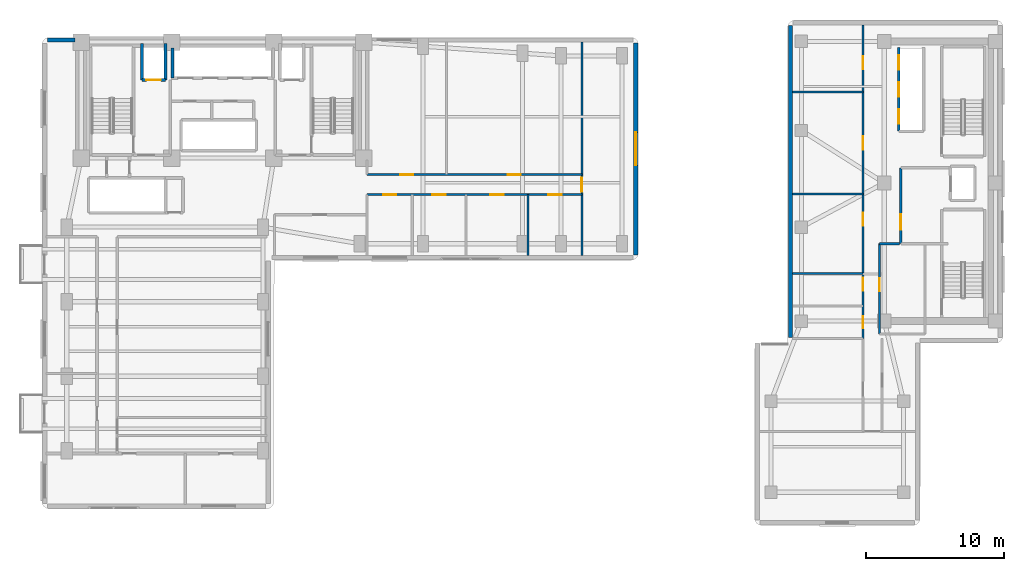
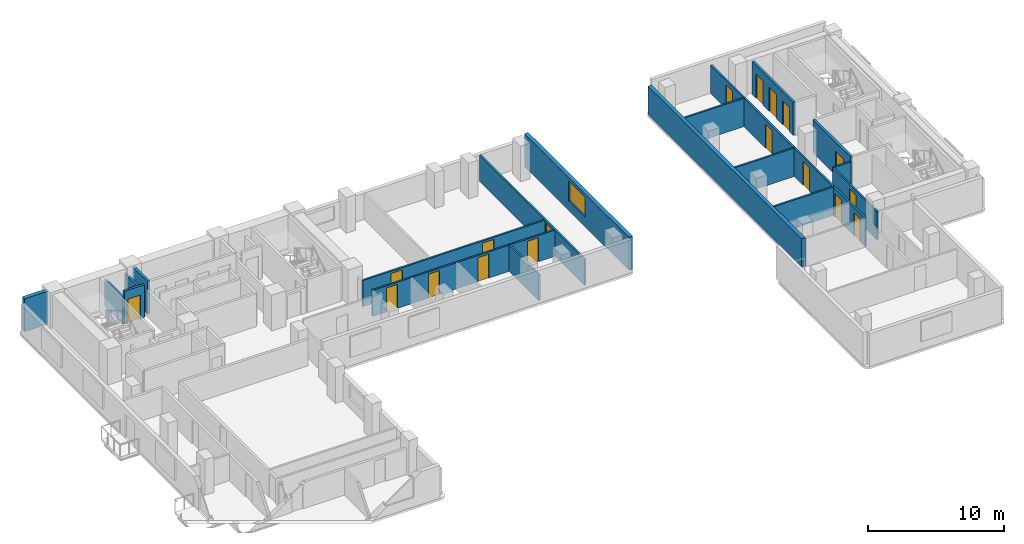
# One storey, part 10 of 15: 19 walls, 18 doors, 1 window, 19 openings.
"""IFC4 building model written with IfcOpenShell, lengths in metres."""

from ifc_helpers import new_model, si_unit, direction, frame, frame_2d, origin, place, context, subcontext, project, spatial, rectangle, extrude, material, layer, layer_set, type_object, element, fill, save


model = new_model("IFC4")

# Units and contexts
model_context = context("Model", 3, precision=1e-05, world=origin(), true_north=direction((0.0, 1.0)))
body_context = subcontext(model_context, "Body", "Model", "MODEL_VIEW")
ifc_project = project(units=[si_unit("LENGTHUNIT", "METRE"), si_unit("AREAUNIT", "SQUARE_METRE"), si_unit("VOLUMEUNIT", "CUBIC_METRE"), si_unit("PLANEANGLEUNIT", "RADIAN"), si_unit("MASSUNIT", "GRAM", prefix="KILO")], contexts=[model_context])

# Site, building, storey
site_placement = place(None, origin())
site = spatial("IfcSite", under=ifc_project, at=site_placement, CompositionType="ELEMENT")
building_placement = place(site_placement, origin())
building = spatial("IfcBuilding", under=site, at=building_placement, Name="Kuzgunbayir Cultural Tower", CompositionType="ELEMENT")
storey_placement = place(building_placement, frame((0.0, 0.0, 72.39990234375)))
storey = spatial("IfcBuildingStorey", under=building, at=storey_placement, Name="L20", CompositionType="ELEMENT", Elevation=72.39990234375)

# Walls
ifc_material_1 = material(Name="Anatolian Cream Limestone", Category="masonry")
ifc_layer_1 = layer(ifc_material_1, 0.300048828125)
ifc_layer_set_1 = layer_set([ifc_layer_1], Name="Anatolian Cream Limestone")
wall_type_1 = type_object("IfcWallType", Name="WAL-EXT-STONE-300", PredefinedType="STANDARD", material=ifc_layer_set_1)
wall_1_placement = place(storey_placement, frame((57.800048828125, 43.39990234375, 0.0), z_axis=(0.0, 0.0, 1.0), x_axis=(0.0, -1.0, 0.0)))
element("IfcWall", 1, at=wall_1_placement, inside=storey, type_object=wall_type_1, Name="L20 Companion West Limestone Wall", PredefinedType="STANDARD", context=body_context, shape_type="SweptSolid", body=[
    extrude(rectangle(XDim=22.599853515625, YDim=0.300048828125, at=frame_2d((11.2998046875, 0.0))), origin(), (0.0, 0.0, 1.0), 2.5400390625),
])
ifc_material_2 = material(Name="Travertine Buff Ashlar", Category="masonry")
ifc_layer_2 = layer(ifc_material_2, 0.320068359375)
ifc_layer_set_2 = layer_set([ifc_layer_2], Name="Travertine Buff Ashlar")
wall_type_2 = type_object("IfcWallType", Name="WAL-EXT-STONE-320", PredefinedType="STANDARD", material=ifc_layer_set_2)
wall_2_placement = place(storey_placement, frame((6.0, 42.35009765625, 0.0), z_axis=(0.0, 0.0, 1.0), x_axis=(-1.0, 0.0, 0.0)))
element("IfcWall", 2, at=wall_2_placement, inside=storey, type_object=wall_type_2, Name="L20 Core North-West Spandrel Link", PredefinedType="STANDARD", context=body_context, shape_type="SweptSolid", body=[
    extrude(rectangle(XDim=2.0, YDim=0.320068359375, at=frame_2d((1.0, 0.0))), origin(), (0.0, 0.0, 1.0), 2.960205078125),
])

# Wall, opening, window
wall_3_placement = place(storey_placement, frame((46.60009765625, 26.800048828125, 0.0), z_axis=(0.0, 0.0, 1.0), x_axis=(0.0, 1.0, 0.0)))
wall_3 = element("IfcWall", 3, at=wall_3_placement, inside=storey, type_object=wall_type_2, Name="L20 Wing B East Limestone Wall", PredefinedType="STANDARD", context=body_context, shape_type="SweptSolid", body=[
    extrude(rectangle(XDim=15.349853515625, YDim=0.320068359375, at=frame_2d((7.6748046875, 0.0))), origin(), (0.0, 0.0, 1.0), 2.960205078125),
])
opening_1_placement = place(wall_3_placement, frame((6.469970703125, 0.0, 0.85009765625)))
opening_1 = element("IfcOpeningElement", 4, at=opening_1_placement, cuts=wall_3, Name="Opening WO-24", PredefinedType="OPENING", context=body_context, shape_type="SweptSolid", body=[
    extrude(rectangle(XDim=2.39990234375, YDim=1.800048828125, at=frame_2d((1.199951171875, 0.89990234375))), frame((0.0, 0.169921875, 0.0), z_axis=(0.0, -1.0, 0.0), x_axis=(1.0, 0.0, 0.0)), (0.0, 0.0, 1.0), 0.340087890625),
])
ifc_material_3 = material(Name="Solar-Control Triple Glazing", Category="glass")
window_type = type_object("IfcWindowType", Name="WIN-OFFICE-24", PartitioningType="SINGLE_PANEL", PredefinedType="WINDOW", material=ifc_material_3)
window_placement = place(opening_1_placement, origin())
window = element("IfcWindow", 5, at=window_placement, inside=storey, type_object=window_type, Name="L20 WBE Facade Window 2", OverallHeight=1.800048828125, OverallWidth=2.39990234375, PartitioningType="SINGLE_PANEL", PredefinedType="WINDOW", context=body_context, shape_type="SweptSolid", body=[
    extrude(rectangle(XDim=2.39990234375, YDim=1.800048828125, at=frame_2d((1.199951171875, 0.89990234375))), frame((0.0, 0.030029296875, 0.0), z_axis=(0.0, -1.0, 0.0), x_axis=(1.0, 0.0, 0.0)), (0.0, 0.0, 1.0), 0.06005859375),
])
fill(opening_1, window)

# Wall, openings, doors
ifc_material_4 = material(Name="Acoustic Double-Stud Drywall", Category="gypsum")
ifc_layer_3 = layer(ifc_material_4, 0.14990234375)
ifc_layer_set_3 = layer_set([ifc_layer_3], Name="Acoustic Double-Stud Drywall")
wall_type_3 = type_object("IfcWallType", Name="WAL-PART-ACOUSTIC-150", PredefinedType="PARTITIONING", material=ifc_layer_set_3)
wall_4_placement = place(storey_placement, frame((27.14990234375, 31.14990234375, 0.0), z_axis=(0.0, 0.0, 1.0), x_axis=(1.0, 0.0, 0.0)))
wall_4 = element("IfcWall", 6, at=wall_4_placement, inside=storey, type_object=wall_type_3, Name="L20 Wing B Corridor South Wall", PredefinedType="PARTITIONING", context=body_context, shape_type="SweptSolid", body=[
    extrude(rectangle(XDim=15.550048828125, YDim=0.14990234375, at=frame_2d((7.77490234375, 0.0))), origin(), (0.0, 0.0, 1.0), 2.35009765625),
])
opening_2_placement = place(wall_4_placement, frame((1.159912109375, 0.0, 0.0)))
opening_2 = element("IfcOpeningElement", 7, at=opening_2_placement, cuts=wall_4, Name="Opening DI-90", PredefinedType="OPENING", context=body_context, shape_type="SweptSolid", body=[
    extrude(rectangle(XDim=0.949951171875, YDim=2.14990234375, at=frame_2d((0.47509765625, 1.074951171875))), frame((0.0, 0.0849609375, 0.0), z_axis=(0.0, -1.0, 0.0), x_axis=(1.0, 0.0, 0.0)), (0.0, 0.0, 1.0), 0.169921875),
])
opening_3_placement = place(wall_4_placement, frame((4.72998046875, 0.0, 0.0)))
opening_3 = element("IfcOpeningElement", 8, at=opening_3_placement, cuts=wall_4, Name="Opening DI-90", PredefinedType="OPENING", context=body_context, shape_type="SweptSolid", body=[
    extrude(rectangle(XDim=0.949951171875, YDim=2.14990234375, at=frame_2d((0.47509765625, 1.074951171875))), frame((0.0, 0.0849609375, 0.0), z_axis=(0.0, -1.0, 0.0), x_axis=(1.0, 0.0, 0.0)), (0.0, 0.0, 1.0), 0.169921875),
])
opening_4_placement = place(wall_4_placement, frame((8.929931640625, 0.0, 0.0)))
opening_4 = element("IfcOpeningElement", 9, at=opening_4_placement, cuts=wall_4, Name="Opening DI-90", PredefinedType="OPENING", context=body_context, shape_type="SweptSolid", body=[
    extrude(rectangle(XDim=0.949951171875, YDim=2.14990234375, at=frame_2d((0.47509765625, 1.074951171875))), frame((0.0, 0.0849609375, 0.0), z_axis=(0.0, -1.0, 0.0), x_axis=(1.0, 0.0, 0.0)), (0.0, 0.0, 1.0), 0.169921875),
])
opening_5_placement = place(wall_4_placement, frame((13.1298828125, 0.0, 0.0)))
opening_5 = element("IfcOpeningElement", 10, at=opening_5_placement, cuts=wall_4, Name="Opening DI-90", PredefinedType="OPENING", context=body_context, shape_type="SweptSolid", body=[
    extrude(rectangle(XDim=0.949951171875, YDim=2.14990234375, at=frame_2d((0.47509765625, 1.074951171875))), frame((0.0, 0.0849609375, 0.0), z_axis=(0.0, -1.0, 0.0), x_axis=(1.0, 0.0, 0.0)), (0.0, 0.0, 1.0), 0.169921875),
])
ifc_material_5 = material(Name="Veneered Oak Single Leaf", Category="wood")
door_type_1 = type_object("IfcDoorType", Name="DR-INT-90", OperationType="NOTDEFINED", PredefinedType="DOOR", material=ifc_material_5)
door_1_placement = place(opening_2_placement, origin())
door_1 = element("IfcDoor", 11, at=door_1_placement, inside=storey, type_object=door_type_1, Name="L20 Wing B Wellness Consultation Studio 1 Door", OperationType="SINGLE_SWING_RIGHT", OverallHeight=2.14990234375, OverallWidth=0.949951171875, PredefinedType="DOOR", context=body_context, shape_type="SweptSolid", body=[
    extrude(rectangle(XDim=0.949951171875, YDim=2.14990234375, at=frame_2d((0.47509765625, 1.074951171875))), frame((0.0, 0.02490234375, 0.0), z_axis=(0.0, -1.0, 0.0), x_axis=(1.0, 0.0, 0.0)), (0.0, 0.0, 1.0), 0.050048828125),
])
fill(opening_2, door_1)
door_2_placement = place(opening_3_placement, origin())
door_2 = element("IfcDoor", 12, at=door_2_placement, inside=storey, type_object=door_type_1, Name="L20 Wing B Seminar Boardroom 2 Door", OperationType="SINGLE_SWING_LEFT", OverallHeight=2.14990234375, OverallWidth=0.949951171875, PredefinedType="DOOR", context=body_context, shape_type="SweptSolid", body=[
    extrude(rectangle(XDim=0.949951171875, YDim=2.14990234375, at=frame_2d((0.47509765625, 1.074951171875))), frame((0.0, 0.02490234375, 0.0), z_axis=(0.0, -1.0, 0.0), x_axis=(1.0, 0.0, 0.0)), (0.0, 0.0, 1.0), 0.050048828125),
])
fill(opening_3, door_2)
door_3_placement = place(opening_4_placement, origin())
door_3 = element("IfcDoor", 13, at=door_3_placement, inside=storey, type_object=door_type_1, Name="L20 Wing B Wellness Consultation Studio 3 Door", OperationType="SINGLE_SWING_RIGHT", OverallHeight=2.14990234375, OverallWidth=0.949951171875, PredefinedType="DOOR", context=body_context, shape_type="SweptSolid", body=[
    extrude(rectangle(XDim=0.949951171875, YDim=2.14990234375, at=frame_2d((0.47509765625, 1.074951171875))), frame((0.0, 0.02490234375, 0.0), z_axis=(0.0, -1.0, 0.0), x_axis=(1.0, 0.0, 0.0)), (0.0, 0.0, 1.0), 0.050048828125),
])
fill(opening_4, door_3)
door_4_placement = place(opening_5_placement, origin())
door_4 = element("IfcDoor", 14, at=door_4_placement, inside=storey, type_object=door_type_1, Name="L20 Wing B Art Publication Salon 4 Door", OperationType="SINGLE_SWING_LEFT", OverallHeight=2.14990234375, OverallWidth=0.949951171875, PredefinedType="DOOR", context=body_context, shape_type="SweptSolid", body=[
    extrude(rectangle(XDim=0.949951171875, YDim=2.14990234375, at=frame_2d((0.47509765625, 1.074951171875))), frame((0.0, 0.02490234375, 0.0), z_axis=(0.0, -1.0, 0.0), x_axis=(1.0, 0.0, 0.0)), (0.0, 0.0, 1.0), 0.050048828125),
])
fill(opening_5, door_4)

wall_5_placement = place(storey_placement, frame((27.14990234375, 32.60009765625, 0.0), z_axis=(0.0, 0.0, 1.0), x_axis=(1.0, 0.0, 0.0)))
wall_5 = element("IfcWall", 15, at=wall_5_placement, inside=storey, type_object=wall_type_3, Name="L20 Wing B Corridor North Wall", PredefinedType="PARTITIONING", context=body_context, shape_type="SweptSolid", body=[
    extrude(rectangle(XDim=15.550048828125, YDim=0.14990234375, at=frame_2d((7.77490234375, 0.0))), origin(), (0.0, 0.0, 1.0), 2.35009765625),
])
opening_6_placement = place(wall_5_placement, frame((2.39990234375, 0.0, 0.0)))
opening_6 = element("IfcOpeningElement", 16, at=opening_6_placement, cuts=wall_5, Name="Opening DI-90", PredefinedType="OPENING", context=body_context, shape_type="SweptSolid", body=[
    extrude(rectangle(XDim=0.949951171875, YDim=2.14990234375, at=frame_2d((0.47509765625, 1.074951171875))), frame((0.0, 0.0849609375, 0.0), z_axis=(0.0, -1.0, 0.0), x_axis=(1.0, 0.0, 0.0)), (0.0, 0.0, 1.0), 0.169921875),
])
opening_7_placement = place(wall_5_placement, frame((10.169921875, 0.0, 0.0)))
opening_7 = element("IfcOpeningElement", 17, at=opening_7_placement, cuts=wall_5, Name="Opening DI-90", PredefinedType="OPENING", context=body_context, shape_type="SweptSolid", body=[
    extrude(rectangle(XDim=0.949951171875, YDim=2.14990234375, at=frame_2d((0.47509765625, 1.074951171875))), frame((0.0, 0.0849609375, 0.0), z_axis=(0.0, -1.0, 0.0), x_axis=(1.0, 0.0, 0.0)), (0.0, 0.0, 1.0), 0.169921875),
])
door_5_placement = place(opening_6_placement, origin())
door_5 = element("IfcDoor", 18, at=door_5_placement, inside=storey, type_object=door_type_1, Name="L20 Wing B North Wellness Consultation Studio 1 Door", OperationType="SINGLE_SWING_RIGHT", OverallHeight=2.14990234375, OverallWidth=0.949951171875, PredefinedType="DOOR", context=body_context, shape_type="SweptSolid", body=[
    extrude(rectangle(XDim=0.949951171875, YDim=2.14990234375, at=frame_2d((0.47509765625, 1.074951171875))), frame((0.0, 0.02490234375, 0.0), z_axis=(0.0, -1.0, 0.0), x_axis=(1.0, 0.0, 0.0)), (0.0, 0.0, 1.0), 0.050048828125),
])
fill(opening_6, door_5)
door_6_placement = place(opening_7_placement, origin())
door_6 = element("IfcDoor", 19, at=door_6_placement, inside=storey, type_object=door_type_1, Name="L20 Wing B North Art Publication Salon 2 Door", OperationType="SINGLE_SWING_LEFT", OverallHeight=2.14990234375, OverallWidth=0.949951171875, PredefinedType="DOOR", context=body_context, shape_type="SweptSolid", body=[
    extrude(rectangle(XDim=0.949951171875, YDim=2.14990234375, at=frame_2d((0.47509765625, 1.074951171875))), frame((0.0, 0.02490234375, 0.0), z_axis=(0.0, -1.0, 0.0), x_axis=(1.0, 0.0, 0.0)), (0.0, 0.0, 1.0), 0.050048828125),
])
fill(opening_7, door_6)

# Wall, opening, door
wall_6_placement = place(storey_placement, frame((42.699951171875, 26.75, 0.0), z_axis=(0.0, 0.0, 1.0), x_axis=(0.0, 1.0, 0.0)))
wall_6 = element("IfcWall", 20, at=wall_6_placement, inside=storey, type_object=wall_type_3, Name="L20 Wing B East Suite Wall", PredefinedType="PARTITIONING", context=body_context, shape_type="SweptSolid", body=[
    extrude(rectangle(XDim=15.449951171875, YDim=0.14990234375, at=frame_2d((7.72509765625, 0.0))), origin(), (0.0, 0.0, 1.0), 2.35009765625),
])
opening_8_placement = place(wall_6_placement, frame((4.6201171875, 0.0, 0.0)))
opening_8 = element("IfcOpeningElement", 21, at=opening_8_placement, cuts=wall_6, Name="Opening DI-100", PredefinedType="OPENING", context=body_context, shape_type="SweptSolid", body=[
    extrude(rectangle(XDim=1.0, YDim=2.14990234375, at=frame_2d((0.5, 1.074951171875))), frame((0.0, 0.0849609375, 0.0), z_axis=(0.0, -1.0, 0.0), x_axis=(1.0, 0.0, 0.0)), (0.0, 0.0, 1.0), 0.169921875),
])
door_type_2 = type_object("IfcDoorType", Name="DR-INT-100", OperationType="NOTDEFINED", PredefinedType="DOOR", material=ifc_material_5)
door_7_placement = place(opening_8_placement, origin())
door_7 = element("IfcDoor", 22, at=door_7_placement, inside=storey, type_object=door_type_2, Name="L20 East Conference Hall Door", OperationType="SINGLE_SWING_LEFT", OverallHeight=2.14990234375, OverallWidth=1.0, PredefinedType="DOOR", context=body_context, shape_type="SweptSolid", body=[
    extrude(rectangle(XDim=1.0, YDim=2.14990234375, at=frame_2d((0.5, 1.074951171875))), frame((0.0, 0.02490234375, 0.0), z_axis=(0.0, -1.0, 0.0), x_axis=(1.0, 0.0, 0.0)), (0.0, 0.0, 1.0), 0.050048828125),
])
fill(opening_8, door_7)

# Wall
wall_7_placement = place(storey_placement, frame((38.81005859375, 26.75, 0.0), z_axis=(0.0, 0.0, 1.0), x_axis=(0.0, 1.0, 0.0)))
element("IfcWall", 23, at=wall_7_placement, inside=storey, type_object=wall_type_3, Name="L20 Wing B South Partition 3", PredefinedType="PARTITIONING", context=body_context, shape_type="SweptSolid", body=[
    extrude(rectangle(XDim=4.39990234375, YDim=0.14990234375, at=frame_2d((2.199951171875, 0.0))), origin(), (0.0, 0.0, 1.0), 2.35009765625),
])

# Wall, opening, door
wall_8_placement = place(storey_placement, frame((64.25, 21.050048828125, 0.0), z_axis=(0.0, 0.0, 1.0), x_axis=(0.0, 1.0, 0.0)))
wall_8 = element("IfcWall", 24, at=wall_8_placement, inside=storey, type_object=wall_type_3, Name="L20 Companion Archive West Wall", PredefinedType="PARTITIONING", context=body_context, shape_type="SweptSolid", body=[
    extrude(rectangle(XDim=6.550048828125, YDim=0.14990234375, at=frame_2d((3.27490234375, 0.0))), origin(), (0.0, 0.0, 1.0), 2.5400390625),
])
opening_9_placement = place(wall_8_placement, frame((3.10009765625, 0.0, 0.0)))
opening_9 = element("IfcOpeningElement", 25, at=opening_9_placement, cuts=wall_8, Name="Opening DI-90", PredefinedType="OPENING", context=body_context, shape_type="SweptSolid", body=[
    extrude(rectangle(XDim=0.949951171875, YDim=2.14990234375, at=frame_2d((0.47509765625, 1.074951171875))), frame((0.0, 0.0849609375, 0.0), z_axis=(0.0, -1.0, 0.0), x_axis=(1.0, 0.0, 0.0)), (0.0, 0.0, 1.0), 0.169921875),
])
door_8_placement = place(opening_9_placement, origin())
door_8 = element("IfcDoor", 26, at=door_8_placement, inside=storey, type_object=door_type_1, Name="L20 Companion Archive Door", OperationType="SINGLE_SWING_RIGHT", OverallHeight=2.14990234375, OverallWidth=0.949951171875, PredefinedType="DOOR", context=body_context, shape_type="SweptSolid", body=[
    extrude(rectangle(XDim=0.949951171875, YDim=2.14990234375, at=frame_2d((0.47509765625, 1.074951171875))), frame((0.0, 0.02490234375, 0.0), z_axis=(0.0, -1.0, 0.0), x_axis=(1.0, 0.0, 0.0)), (0.0, 0.0, 1.0), 0.050048828125),
])
fill(opening_9, door_8)

# Wall
wall_9_placement = place(storey_placement, frame((64.25, 27.60009765625, 0.0), z_axis=(0.0, 0.0, 1.0), x_axis=(1.0, 0.0, 0.0)))
element("IfcWall", 27, at=wall_9_placement, inside=storey, type_object=wall_type_3, Name="L20 Companion Archive North Wall", PredefinedType="PARTITIONING", context=body_context, shape_type="SweptSolid", body=[
    extrude(rectangle(XDim=1.469970703125, YDim=0.14990234375, at=frame_2d((0.73486328125, 0.0))), origin(), (0.0, 0.0, 1.0), 2.5400390625),
])

# Wall, openings, doors
wall_10_placement = place(storey_placement, frame((63.050048828125, 20.75, 0.0), z_axis=(0.0, 0.0, 1.0), x_axis=(0.0, 1.0, 0.0)))
wall_10 = element("IfcWall", 28, at=wall_10_placement, inside=storey, type_object=wall_type_3, Name="L20 Companion Corridor West Wall", PredefinedType="PARTITIONING", context=body_context, shape_type="SweptSolid", body=[
    extrude(rectangle(XDim=22.699951171875, YDim=0.14990234375, at=frame_2d((11.35009765625, 0.0))), origin(), (0.0, 0.0, 1.0), 2.5400390625),
])
opening_10_placement = place(wall_10_placement, frame((0.72998046875, 0.0, 0.0)))
opening_10 = element("IfcOpeningElement", 29, at=opening_10_placement, cuts=wall_10, Name="Opening DW-85", PredefinedType="OPENING", context=body_context, shape_type="SweptSolid", body=[
    extrude(rectangle(XDim=0.85009765625, YDim=2.10009765625, at=frame_2d((0.425048828125, 1.050048828125))), frame((0.0, 0.0849609375, 0.0), z_axis=(0.0, -1.0, 0.0), x_axis=(1.0, 0.0, 0.0)), (0.0, 0.0, 1.0), 0.169921875),
])
opening_11_placement = place(wall_10_placement, frame((3.429931640625, 0.0, 0.0)))
opening_11 = element("IfcOpeningElement", 30, at=opening_11_placement, cuts=wall_10, Name="Opening DW-95", PredefinedType="OPENING", context=body_context, shape_type="SweptSolid", body=[
    extrude(rectangle(XDim=0.949951171875, YDim=2.10009765625, at=frame_2d((0.47509765625, 1.050048828125))), frame((0.0, 0.0849609375, 0.0), z_axis=(0.0, -1.0, 0.0), x_axis=(1.0, 0.0, 0.0)), (0.0, 0.0, 1.0), 0.169921875),
])
opening_12_placement = place(wall_10_placement, frame((8.14990234375, 0.0, 0.0)))
opening_12 = element("IfcOpeningElement", 31, at=opening_12_placement, cuts=wall_10, Name="Opening DI-90", PredefinedType="OPENING", context=body_context, shape_type="SweptSolid", body=[
    extrude(rectangle(XDim=0.949951171875, YDim=2.14990234375, at=frame_2d((0.47509765625, 1.074951171875))), frame((0.0, 0.0849609375, 0.0), z_axis=(0.0, -1.0, 0.0), x_axis=(1.0, 0.0, 0.0)), (0.0, 0.0, 1.0), 0.169921875),
])
opening_13_placement = place(wall_10_placement, frame((13.669921875, 0.0, 0.0)))
opening_13 = element("IfcOpeningElement", 32, at=opening_13_placement, cuts=wall_10, Name="Opening DI-90", PredefinedType="OPENING", context=body_context, shape_type="SweptSolid", body=[
    extrude(rectangle(XDim=0.949951171875, YDim=2.14990234375, at=frame_2d((0.47509765625, 1.074951171875))), frame((0.0, 0.0849609375, 0.0), z_axis=(0.0, -1.0, 0.0), x_axis=(1.0, 0.0, 0.0)), (0.0, 0.0, 1.0), 0.169921875),
])
opening_14_placement = place(wall_10_placement, frame((19.469970703125, 0.0, 0.0)))
opening_14 = element("IfcOpeningElement", 33, at=opening_14_placement, cuts=wall_10, Name="Opening DI-90", PredefinedType="OPENING", context=body_context, shape_type="SweptSolid", body=[
    extrude(rectangle(XDim=0.949951171875, YDim=2.14990234375, at=frame_2d((0.47509765625, 1.074951171875))), frame((0.0, 0.0849609375, 0.0), z_axis=(0.0, -1.0, 0.0), x_axis=(1.0, 0.0, 0.0)), (0.0, 0.0, 1.0), 0.169921875),
])
door_9_placement = place(opening_12_placement, origin())
door_9 = element("IfcDoor", 34, at=door_9_placement, inside=storey, type_object=door_type_1, Name="L20 Companion Wellness Consultation Studio 1 Door", OperationType="SINGLE_SWING_LEFT", OverallHeight=2.14990234375, OverallWidth=0.949951171875, PredefinedType="DOOR", context=body_context, shape_type="SweptSolid", body=[
    extrude(rectangle(XDim=0.949951171875, YDim=2.14990234375, at=frame_2d((0.47509765625, 1.074951171875))), frame((0.0, 0.02490234375, 0.0), z_axis=(0.0, -1.0, 0.0), x_axis=(1.0, 0.0, 0.0)), (0.0, 0.0, 1.0), 0.050048828125),
])
fill(opening_12, door_9)
door_10_placement = place(opening_13_placement, origin())
door_10 = element("IfcDoor", 35, at=door_10_placement, inside=storey, type_object=door_type_1, Name="L20 Companion Fellows Reading Lounge 2 Door", OperationType="SINGLE_SWING_RIGHT", OverallHeight=2.14990234375, OverallWidth=0.949951171875, PredefinedType="DOOR", context=body_context, shape_type="SweptSolid", body=[
    extrude(rectangle(XDim=0.949951171875, YDim=2.14990234375, at=frame_2d((0.47509765625, 1.074951171875))), frame((0.0, 0.02490234375, 0.0), z_axis=(0.0, -1.0, 0.0), x_axis=(1.0, 0.0, 0.0)), (0.0, 0.0, 1.0), 0.050048828125),
])
fill(opening_13, door_10)
door_11_placement = place(opening_14_placement, origin())
door_11 = element("IfcDoor", 36, at=door_11_placement, inside=storey, type_object=door_type_1, Name="L20 Companion Curatorial Office 3 Door", OperationType="SINGLE_SWING_LEFT", OverallHeight=2.14990234375, OverallWidth=0.949951171875, PredefinedType="DOOR", context=body_context, shape_type="SweptSolid", body=[
    extrude(rectangle(XDim=0.949951171875, YDim=2.14990234375, at=frame_2d((0.47509765625, 1.074951171875))), frame((0.0, 0.02490234375, 0.0), z_axis=(0.0, -1.0, 0.0), x_axis=(1.0, 0.0, 0.0)), (0.0, 0.0, 1.0), 0.050048828125),
])
fill(opening_14, door_11)
ifc_material_6 = material(Name="Laminate Moisture-Resistant Leaf", Category="wood")
door_type_3 = type_object("IfcDoorType", Name="DR-WET-85", OperationType="NOTDEFINED", PredefinedType="DOOR", material=ifc_material_6)
door_12_placement = place(opening_10_placement, origin())
door_12 = element("IfcDoor", 37, at=door_12_placement, inside=storey, type_object=door_type_3, Name="L20 Companion WC Door", OperationType="SINGLE_SWING_LEFT", OverallHeight=2.10009765625, OverallWidth=0.85009765625, PredefinedType="DOOR", context=body_context, shape_type="SweptSolid", body=[
    extrude(rectangle(XDim=0.85009765625, YDim=2.10009765625, at=frame_2d((0.425048828125, 1.050048828125))), frame((0.0, 0.02490234375, 0.0), z_axis=(0.0, -1.0, 0.0), x_axis=(1.0, 0.0, 0.0)), (0.0, 0.0, 1.0), 0.050048828125),
])
fill(opening_10, door_12)
door_type_4 = type_object("IfcDoorType", Name="DR-WET-95", OperationType="NOTDEFINED", PredefinedType="DOOR", material=ifc_material_6)
door_13_placement = place(opening_11_placement, origin())
door_13 = element("IfcDoor", 38, at=door_13_placement, inside=storey, type_object=door_type_4, Name="L20 Companion Accessible WC Door", OperationType="SINGLE_SWING_RIGHT", OverallHeight=2.10009765625, OverallWidth=0.949951171875, PredefinedType="DOOR", context=body_context, shape_type="SweptSolid", body=[
    extrude(rectangle(XDim=0.949951171875, YDim=2.10009765625, at=frame_2d((0.47509765625, 1.050048828125))), frame((0.0, 0.02490234375, 0.0), z_axis=(0.0, -1.0, 0.0), x_axis=(1.0, 0.0, 0.0)), (0.0, 0.0, 1.0), 0.050048828125),
])
fill(opening_11, door_13)

# Walls
for number, where, z_axis, x_axis, name in (
    (39, (57.949951171875, 31.2099609375, 0.0), (0.0, 0.0, 1.0), (1.0, 0.0, 0.0), "L20 Companion Studio Partition 1"),
    (40, (57.949951171875, 38.590087890625, 0.0), (0.0, 0.0, 1.0), (1.0, 0.0, 0.0), "L20 Companion Studio Partition 2"),
):
    element("IfcWall", number, at=place(storey_placement, frame(where, z_axis=z_axis, x_axis=x_axis)), inside=storey, type_object=wall_type_3, Name=name, PredefinedType="PARTITIONING", context=body_context, shape_type="SweptSolid", body=[
        extrude(rectangle(XDim=5.10009765625, YDim=0.14990234375, at=frame_2d((2.550048828125, 0.0))), origin(), (0.0, 0.0, 1.0), 2.5400390625),
    ])

# Wall, opening, door
ifc_material_7 = material(Name="Aerated Concrete Blockwork", Category="masonry")
ifc_layer_4 = layer(ifc_material_7, 0.199951171875)
ifc_layer_set_4 = layer_set([ifc_layer_4], Name="Aerated Concrete Blockwork")
wall_type_4 = type_object("IfcWallType", Name="WAL-PART-FIRE-200", PredefinedType="PARTITIONING", material=ifc_layer_set_4)
wall_11_placement = place(storey_placement, frame((65.800048828125, 27.60009765625, 0.0), z_axis=(0.0, 0.0, 1.0), x_axis=(0.0, 1.0, 0.0)))
wall_11 = element("IfcWall", 41, at=wall_11_placement, inside=storey, type_object=wall_type_4, Name="L20 FFL-3 Lobby West Fire Wall", PredefinedType="PARTITIONING", context=body_context, shape_type="SweptSolid", body=[
    extrude(rectangle(XDim=5.5, YDim=0.199951171875, at=frame_2d((2.75, 0.0))), origin(), (0.0, 0.0, 1.0), 2.960205078125),
])
opening_15_placement = place(wall_11_placement, frame((1.0, 0.0, 0.0)))
opening_15 = element("IfcOpeningElement", 42, at=opening_15_placement, cuts=wall_11, Name="Opening DR-FFL-90", PredefinedType="OPENING", context=body_context, shape_type="SweptSolid", body=[
    extrude(rectangle(XDim=1.14990234375, YDim=2.14990234375, at=frame_2d((0.574951171875, 1.074951171875))), frame((0.0, 0.10986328125, 0.0), z_axis=(0.0, -1.0, 0.0), x_axis=(1.0, 0.0, 0.0)), (0.0, 0.0, 1.0), 0.219970703125),
])
ifc_material_8 = material(Name="Steel S355J2", Category="steel")
door_type_5 = type_object("IfcDoorType", Name="DR-FFL-90", OperationType="NOTDEFINED", PredefinedType="DOOR", material=ifc_material_8)
door_14_placement = place(opening_15_placement, origin())
door_14 = element("IfcDoor", 43, at=door_14_placement, inside=storey, type_object=door_type_5, Name="L20 Firefighting Lobby 3 Door", OperationType="SINGLE_SWING_RIGHT", OverallHeight=2.14990234375, OverallWidth=1.14990234375, PredefinedType="DOOR", context=body_context, shape_type="SweptSolid", body=[
    extrude(rectangle(XDim=1.14990234375, YDim=2.14990234375, at=frame_2d((0.574951171875, 1.074951171875))), frame((0.0, 0.02490234375, 0.0), z_axis=(0.0, -1.0, 0.0), x_axis=(1.0, 0.0, 0.0)), (0.0, 0.0, 1.0), 0.050048828125),
])
fill(opening_15, door_14)

# Wall
ifc_material_9 = material(Name="Moisture-Resistant Tile Partition", Category="gypsum")
ifc_layer_5 = layer(ifc_material_9, 0.14990234375)
ifc_layer_set_5 = layer_set([ifc_layer_5], Name="Moisture-Resistant Tile Partition")
wall_type_5 = type_object("IfcWallType", Name="WAL-PART-WET-150", PredefinedType="PARTITIONING", material=ifc_layer_set_5)
wall_12_placement = place(storey_placement, frame((57.949951171875, 25.449951171875, 0.0), z_axis=(0.0, 0.0, 1.0), x_axis=(1.0, 0.0, 0.0)))
element("IfcWall", 44, at=wall_12_placement, inside=storey, type_object=wall_type_5, Name="L20 Companion Accessible WC Wall", PredefinedType="PARTITIONING", context=body_context, shape_type="SweptSolid", body=[
    extrude(rectangle(XDim=5.10009765625, YDim=0.14990234375, at=frame_2d((2.550048828125, 0.0))), origin(), (0.0, 0.0, 1.0), 2.5400390625),
])

# Wall, opening, door
ifc_material_10 = material(Name="Concrete C40/50", Category="concrete")
ifc_layer_6 = layer(ifc_material_10, 0.199951171875)
ifc_layer_set_6 = layer_set([ifc_layer_6], Name="Concrete C40/50")
wall_type_6 = type_object("IfcWallType", Name="WAL-SHAFT-200", PredefinedType="MOVABLE", material=ifc_layer_set_6)
wall_13_placement = place(storey_placement, frame((10.85009765625, 39.449951171875, 0.0), z_axis=(0.0, 0.0, 1.0), x_axis=(1.0, 0.0, 0.0)))
wall_13 = element("IfcWall", 45, at=wall_13_placement, inside=storey, type_object=wall_type_6, Name="L20 FFL-1 Lift Front Wall", PredefinedType="MOVABLE", context=body_context, shape_type="SweptSolid", body=[
    extrude(rectangle(XDim=1.699951171875, YDim=0.199951171875, at=frame_2d((0.85009765625, 0.0))), origin(), (0.0, 0.0, 1.0), 2.960205078125),
])
opening_16_placement = place(wall_13_placement, frame((0.320068359375, 0.0, 0.0)))
opening_16 = element("IfcOpeningElement", 46, at=opening_16_placement, cuts=wall_13, Name="Opening LD", PredefinedType="OPENING", context=body_context, shape_type="SweptSolid", body=[
    extrude(rectangle(XDim=1.050048828125, YDim=2.14990234375, at=frame_2d((0.52490234375, 1.074951171875))), frame((0.0, 0.10986328125, 0.0), z_axis=(0.0, -1.0, 0.0), x_axis=(1.0, 0.0, 0.0)), (0.0, 0.0, 1.0), 0.219970703125),
])
ifc_material_11 = material(Name="Brushed Stainless Steel", Category="steel")
door_type_6 = type_object("IfcDoorType", Name="DR-LIFT-LANDING", OperationType="SLIDING_TO_LEFT", PredefinedType="DOOR", material=ifc_material_11)
door_15_placement = place(opening_16_placement, origin())
door_15 = element("IfcDoor", 47, at=door_15_placement, inside=storey, type_object=door_type_6, Name="L20 Lift FFL-1 Landing Door", OperationType="SLIDING_TO_LEFT", OverallHeight=2.14990234375, OverallWidth=1.050048828125, PredefinedType="DOOR", context=body_context, shape_type="SweptSolid", body=[
    extrude(rectangle(XDim=1.050048828125, YDim=2.14990234375, at=frame_2d((0.52490234375, 1.074951171875))), frame((0.0, 0.02490234375, 0.0), z_axis=(0.0, -1.0, 0.0), x_axis=(1.0, 0.0, 0.0)), (0.0, 0.0, 1.0), 0.050048828125),
])
fill(opening_16, door_15)

# Walls
for number, where, z_axis, x_axis, name in (
    (48, (10.85009765625, 39.449951171875, 0.0), (0.0, 0.0, 1.0), (0.0, 1.0, 0.0), "L20 FFL-1 Shaft West Wall"),
    (49, (12.550048828125, 39.449951171875, 0.0), (0.0, 0.0, 1.0), (0.0, 1.0, 0.0), "L20 FFL-1 Shaft East Wall"),
):
    element("IfcWall", number, at=place(storey_placement, frame(where, z_axis=z_axis, x_axis=x_axis)), inside=storey, type_object=wall_type_6, Name=name, PredefinedType="MOVABLE", context=body_context, shape_type="SweptSolid", body=[
        extrude(rectangle(XDim=2.650146484375, YDim=0.199951171875, at=frame_2d((1.3251953125, 0.0))), origin(), (0.0, 0.0, 1.0), 2.35009765625),
    ])
wall_14_placement = place(storey_placement, frame((13.050048828125, 39.60009765625, 0.0), z_axis=(0.0, 0.0, 1.0), x_axis=(0.0, 1.0, 0.0)))
element("IfcWall", 50, at=wall_14_placement, inside=storey, type_object=wall_type_6, Name="L20 Low-Rise Lift Shaft West Wall", PredefinedType="MOVABLE", context=body_context, shape_type="SweptSolid", body=[
    extrude(rectangle(XDim=2.179931640625, YDim=0.199951171875, at=frame_2d((1.08984375, 0.0))), origin(), (0.0, 0.0, 1.0), 2.960205078125),
])

# Wall, openings, doors
wall_15_placement = place(storey_placement, frame((65.64990234375, 35.75, 0.0), z_axis=(0.0, 0.0, 1.0), x_axis=(0.0, 1.0, 0.0)))
wall_15 = element("IfcWall", 51, at=wall_15_placement, inside=storey, type_object=wall_type_6, Name="L20 Companion Lift Front Wall", PredefinedType="MOVABLE", context=body_context, shape_type="SweptSolid", body=[
    extrude(rectangle(XDim=6.050048828125, YDim=0.199951171875, at=frame_2d((3.02490234375, 0.0))), origin(), (0.0, 0.0, 1.0), 2.960205078125),
])
opening_17_placement = place(wall_15_placement, frame((0.52001953125, 0.0, 0.0)))
opening_17 = element("IfcOpeningElement", 52, at=opening_17_placement, cuts=wall_15, Name="Opening LD", PredefinedType="OPENING", context=body_context, shape_type="SweptSolid", body=[
    extrude(rectangle(XDim=1.050048828125, YDim=2.14990234375, at=frame_2d((0.52490234375, 1.074951171875))), frame((0.0, 0.10986328125, 0.0), z_axis=(0.0, -1.0, 0.0), x_axis=(1.0, 0.0, 0.0)), (0.0, 0.0, 1.0), 0.219970703125),
])
opening_18_placement = place(wall_15_placement, frame((2.47998046875, 0.0, 0.0)))
opening_18 = element("IfcOpeningElement", 53, at=opening_18_placement, cuts=wall_15, Name="Opening LD", PredefinedType="OPENING", context=body_context, shape_type="SweptSolid", body=[
    extrude(rectangle(XDim=1.050048828125, YDim=2.14990234375, at=frame_2d((0.52490234375, 1.074951171875))), frame((0.0, 0.10986328125, 0.0), z_axis=(0.0, -1.0, 0.0), x_axis=(1.0, 0.0, 0.0)), (0.0, 0.0, 1.0), 0.219970703125),
])
opening_19_placement = place(wall_15_placement, frame((4.429931640625, 0.0, 0.0)))
opening_19 = element("IfcOpeningElement", 54, at=opening_19_placement, cuts=wall_15, Name="Opening LD", PredefinedType="OPENING", context=body_context, shape_type="SweptSolid", body=[
    extrude(rectangle(XDim=1.050048828125, YDim=2.14990234375, at=frame_2d((0.52490234375, 1.074951171875))), frame((0.0, 0.10986328125, 0.0), z_axis=(0.0, -1.0, 0.0), x_axis=(1.0, 0.0, 0.0)), (0.0, 0.0, 1.0), 0.219970703125),
])
door_16_placement = place(opening_17_placement, origin())
door_16 = element("IfcDoor", 55, at=door_16_placement, inside=storey, type_object=door_type_6, Name="L20 Lift PC-1 Landing Door", OperationType="SLIDING_TO_LEFT", OverallHeight=2.14990234375, OverallWidth=1.050048828125, PredefinedType="DOOR", context=body_context, shape_type="SweptSolid", body=[
    extrude(rectangle(XDim=1.050048828125, YDim=2.14990234375, at=frame_2d((0.52490234375, 1.074951171875))), frame((0.0, 0.02490234375, 0.0), z_axis=(0.0, -1.0, 0.0), x_axis=(1.0, 0.0, 0.0)), (0.0, 0.0, 1.0), 0.050048828125),
])
fill(opening_17, door_16)
door_17_placement = place(opening_18_placement, origin())
door_17 = element("IfcDoor", 56, at=door_17_placement, inside=storey, type_object=door_type_6, Name="L20 Lift PC-2 Landing Door", OperationType="SLIDING_TO_LEFT", OverallHeight=2.14990234375, OverallWidth=1.050048828125, PredefinedType="DOOR", context=body_context, shape_type="SweptSolid", body=[
    extrude(rectangle(XDim=1.050048828125, YDim=2.14990234375, at=frame_2d((0.52490234375, 1.074951171875))), frame((0.0, 0.02490234375, 0.0), z_axis=(0.0, -1.0, 0.0), x_axis=(1.0, 0.0, 0.0)), (0.0, 0.0, 1.0), 0.050048828125),
])
fill(opening_18, door_17)
door_18_placement = place(opening_19_placement, origin())
door_18 = element("IfcDoor", 57, at=door_18_placement, inside=storey, type_object=door_type_6, Name="L20 Lift PC-3 Landing Door", OperationType="SLIDING_TO_LEFT", OverallHeight=2.14990234375, OverallWidth=1.050048828125, PredefinedType="DOOR", context=body_context, shape_type="SweptSolid", body=[
    extrude(rectangle(XDim=1.050048828125, YDim=2.14990234375, at=frame_2d((0.52490234375, 1.074951171875))), frame((0.0, 0.02490234375, 0.0), z_axis=(0.0, -1.0, 0.0), x_axis=(1.0, 0.0, 0.0)), (0.0, 0.0, 1.0), 0.050048828125),
])
fill(opening_19, door_18)

save(model, "model.ifc")
